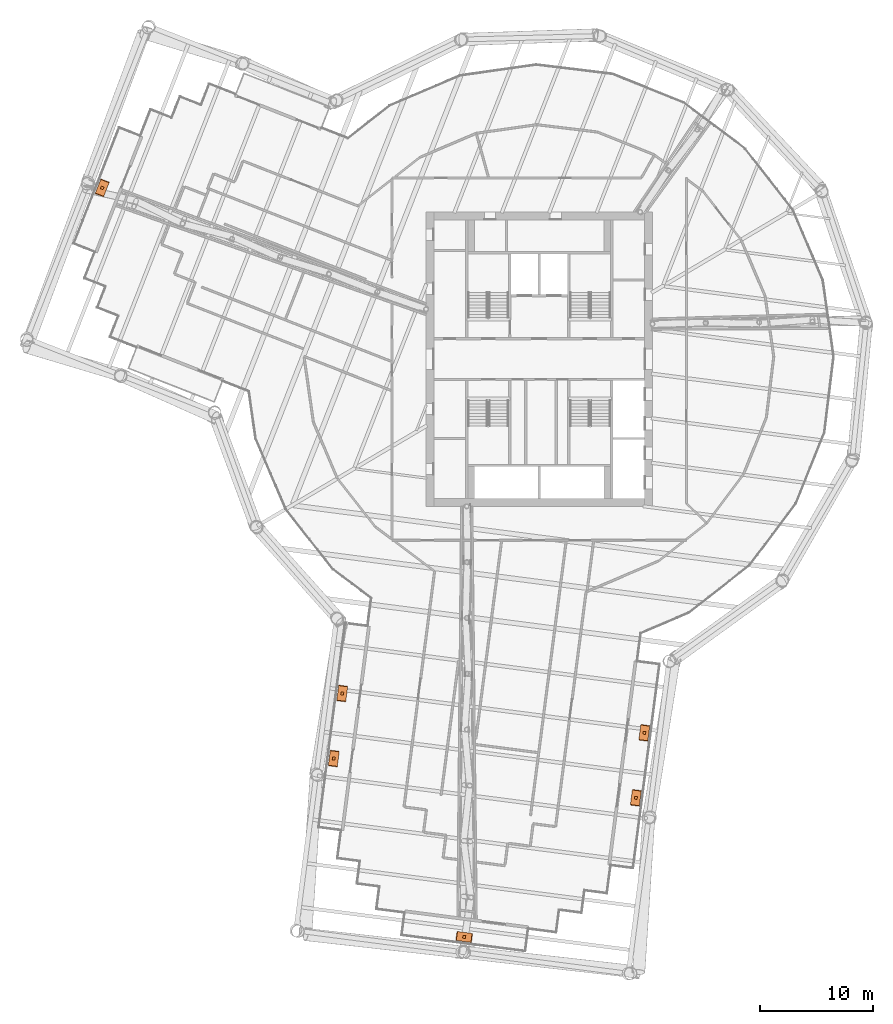
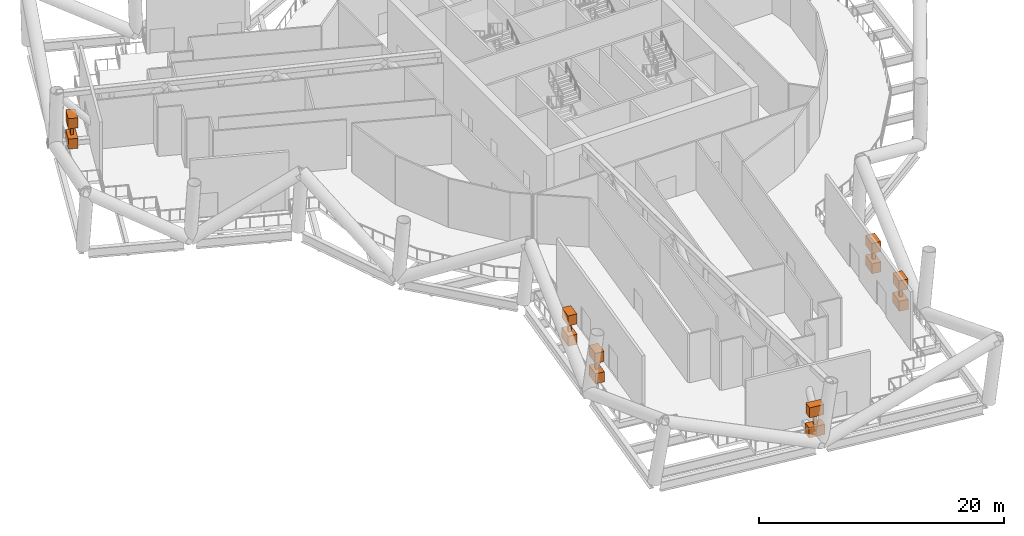
# One storey, part 36 of 36: 18 proxies.
"""IFC4 building model written with IfcOpenShell, lengths in metres."""

from ifc_helpers import new_model, si_unit, direction, frame, origin, origin_2d, place, context, subcontext, project, spatial, rectangle, extrude, material, type_object, element, save


model = new_model("IFC4")

# Units and contexts
model_context = context("Model", 3, precision=1e-05, world=origin(), true_north=direction((0.0, 1.0)))
body_context = subcontext(model_context, "Body", "Model", "MODEL_VIEW")
ifc_project = project(units=[si_unit("LENGTHUNIT", "METRE"), si_unit("AREAUNIT", "SQUARE_METRE"), si_unit("VOLUMEUNIT", "CUBIC_METRE"), si_unit("PLANEANGLEUNIT", "RADIAN"), si_unit("MASSUNIT", "GRAM", prefix="KILO")], contexts=[model_context])

# Site, building, storey
site_placement = place(None, origin())
site = spatial("IfcSite", under=ifc_project, at=site_placement, CompositionType="ELEMENT")
building_placement = place(site_placement, origin())
building = spatial("IfcBuilding", under=site, at=building_placement, Name="Tarsis Ring Headquarters", CompositionType="ELEMENT")
storey_placement = place(building_placement, frame((0.0, 0.0, 194.39990234375)))
storey = spatial("IfcBuildingStorey", under=building, at=storey_placement, Name="L45", CompositionType="ELEMENT", Elevation=194.39990234375)

# Proxies
ifc_material_1 = material(Name="Tree canopy foliage")
building_element_proxy_type_1 = type_object("IfcBuildingElementProxyType", Name="Tree canopy", PredefinedType="USERDEFINED", material=ifc_material_1)
for number, where, z_axis, x_axis, name in (
    (1, (-17.397216796875, -29.522705078125, 2.0), (0.0, 0.0, 1.0), (-0.128795544654, -0.991671169127, 0.0), "Tree canopy L45-06.2"),
    (2, (-18.143310546875, -35.267333984375, 2.0), (0.0, 0.0, 1.0), (-0.128795544654, -0.991671169127, 0.0), "Tree canopy L45-06.3"),
    (3, (-6.62646484375, -51.021484375, 2.0), (0.0, 0.0, 1.0), (0.991671166879, -0.128795561962, 0.0), "Tree canopy L45-11.2"),
    (4, (8.531494140625, -38.73974609375, 2.0), (0.0, 0.0, 1.0), (0.128795613885, 0.991671160135, 0.0), "Tree canopy L45-16.2"),
    (5, (9.277099609375, -33.000244140625, 2.0), (0.0, 0.0, 1.0), (0.128795613885, 0.991671160135, 0.0), "Tree canopy L45-16.3"),
    (6, (-38.59228515625, 15.1240234375, 2.0), (0.0, 0.0, 1.0), (-0.364876816838, -0.931055803126, 0.0), "Tree canopy L45-36.2"),
):
    element("IfcBuildingElementProxy", number, at=place(storey_placement, frame(where, z_axis=z_axis, x_axis=x_axis)), inside=storey, type_object=building_element_proxy_type_1, Name=name, ObjectType="Tree canopy", PredefinedType="USERDEFINED", context=body_context, shape_type="SweptSolid", body=[
        extrude(rectangle(XDim=1.300048828125, YDim=0.800048828125, at=origin_2d()), origin(), (0.0, 0.0, 1.0), 1.0),
    ])
ifc_material_2 = material(Name="Planter soil mix and tree")
building_element_proxy_type_2 = type_object("IfcBuildingElementProxyType", Name="Tree planter", PredefinedType="USERDEFINED", material=ifc_material_2)
for number, where, z_axis, x_axis, name in (
    (7, (-17.397216796875, -29.522705078125, 0.0), (0.0, 0.0, 1.0), (-0.128795544654, -0.991671169127, 0.0), "Tree planter L45-06.2"),
    (8, (-18.143310546875, -35.267333984375, 0.0), (0.0, 0.0, 1.0), (-0.128795544654, -0.991671169127, 0.0), "Tree planter L45-06.3"),
    (9, (-6.62646484375, -51.021484375, 0.0), (0.0, 0.0, 1.0), (0.991671166879, -0.128795561962, 0.0), "Tree planter L45-11.2"),
    (10, (8.531494140625, -38.73974609375, 0.0), (0.0, 0.0, 1.0), (0.128795613885, 0.991671160135, 0.0), "Tree planter L45-16.2"),
    (11, (9.277099609375, -33.000244140625, 0.0), (0.0, 0.0, 1.0), (0.128795613885, 0.991671160135, 0.0), "Tree planter L45-16.3"),
    (12, (-38.59228515625, 15.1240234375, 0.0), (0.0, 0.0, 1.0), (-0.364876816838, -0.931055803126, 0.0), "Tree planter L45-36.2"),
):
    element("IfcBuildingElementProxy", number, at=place(storey_placement, frame(where, z_axis=z_axis, x_axis=x_axis)), inside=storey, type_object=building_element_proxy_type_2, Name=name, ObjectType="Planter", PredefinedType="USERDEFINED", context=body_context, shape_type="SweptSolid", body=[
        extrude(rectangle(XDim=1.39990234375, YDim=0.800048828125, at=origin_2d()), origin(), (0.0, 0.0, 1.0), 1.0),
    ])
ifc_material_3 = material(Name="Tree trunk timber", Category="wood")
building_element_proxy_type_3 = type_object("IfcBuildingElementProxyType", Name="Tree trunk", PredefinedType="USERDEFINED", material=ifc_material_3)
for number, where, z_axis, x_axis, name in (
    (13, (-17.397216796875, -29.522705078125, 1.0), (0.0, 0.0, 1.0), (-0.128795544654, -0.991671169127, 0.0), "Tree trunk L45-06.2"),
    (14, (-18.143310546875, -35.267333984375, 1.0), (0.0, 0.0, 1.0), (-0.128795544654, -0.991671169127, 0.0), "Tree trunk L45-06.3"),
    (15, (-6.62646484375, -51.021484375, 1.0), (0.0, 0.0, 1.0), (0.991671166879, -0.128795561962, 0.0), "Tree trunk L45-11.2"),
    (16, (8.531494140625, -38.73974609375, 1.0), (0.0, 0.0, 1.0), (0.128795613885, 0.991671160135, 0.0), "Tree trunk L45-16.2"),
    (17, (9.277099609375, -33.000244140625, 1.0), (0.0, 0.0, 1.0), (0.128795613885, 0.991671160135, 0.0), "Tree trunk L45-16.3"),
    (18, (-38.59228515625, 15.1240234375, 1.0), (0.0, 0.0, 1.0), (-0.364876816838, -0.931055803126, 0.0), "Tree trunk L45-36.2"),
):
    element("IfcBuildingElementProxy", number, at=place(storey_placement, frame(where, z_axis=z_axis, x_axis=x_axis)), inside=storey, type_object=building_element_proxy_type_3, Name=name, ObjectType="Tree trunk", PredefinedType="USERDEFINED", context=body_context, shape_type="SweptSolid", body=[
        extrude(rectangle(XDim=0.25, YDim=0.25, at=origin_2d()), origin(), (0.0, 0.0, 1.0), 1.0),
    ])

save(model, "model.ifc")
